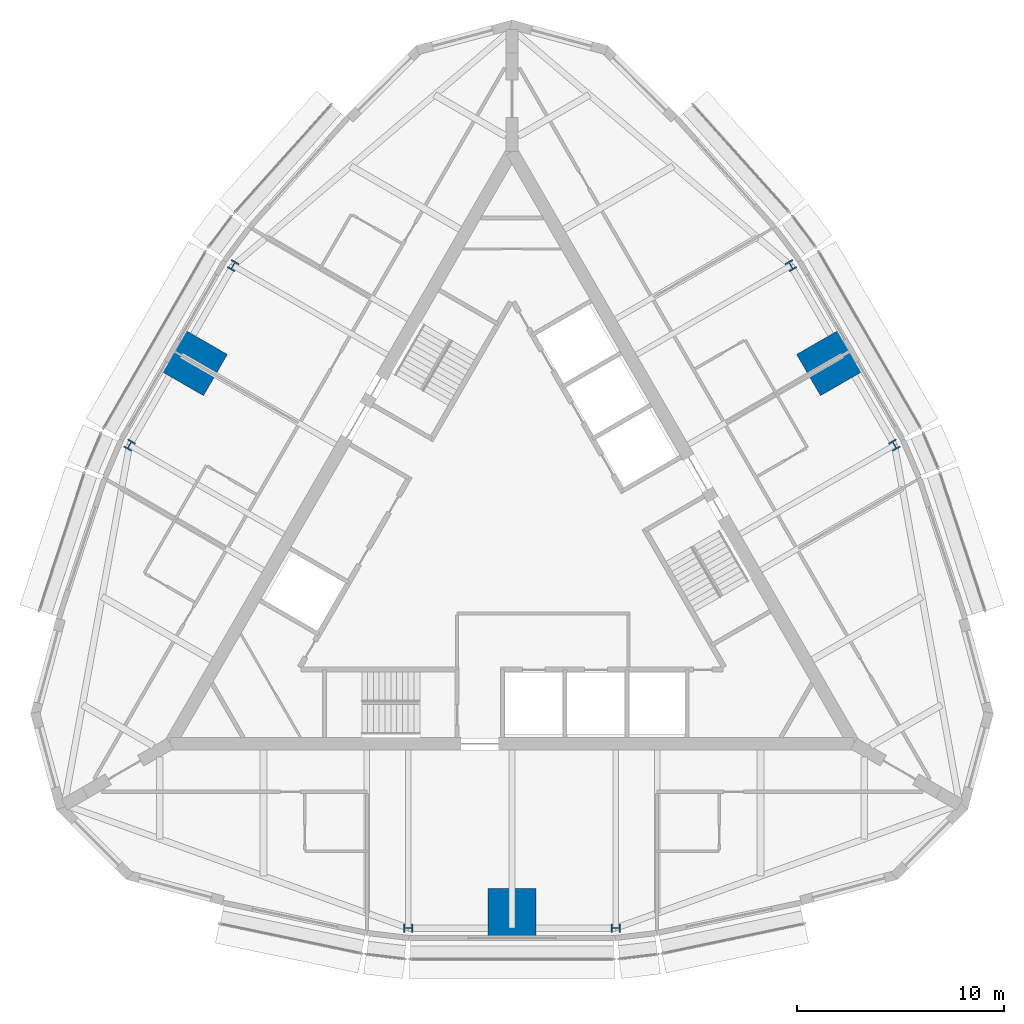
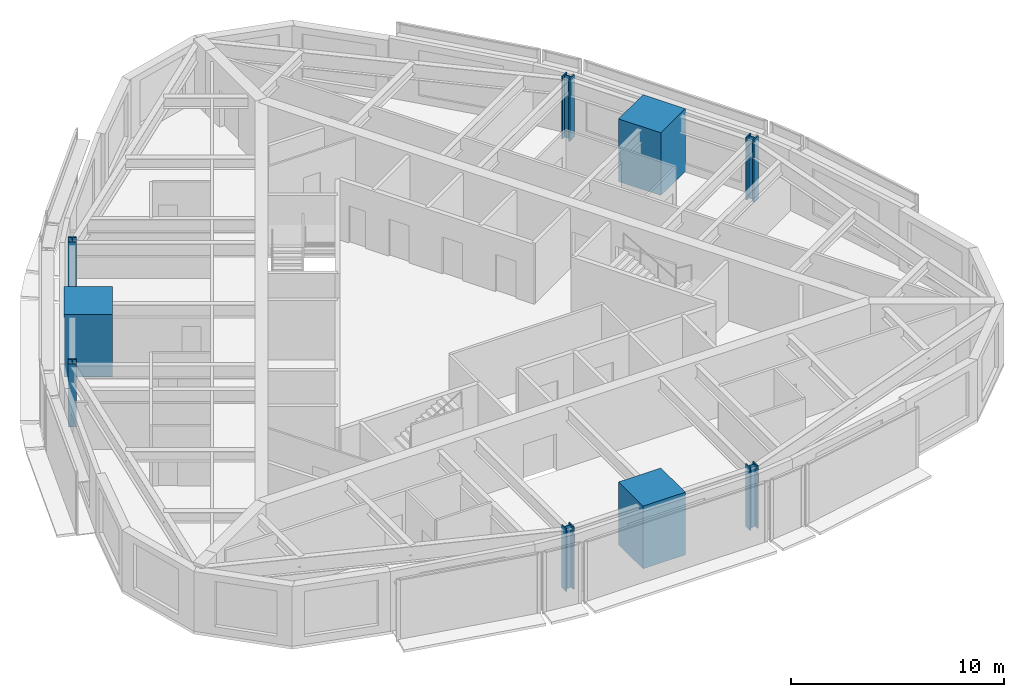
# One storey, part 1 of 12: 9 columns.
"""IFC4 building model written with IfcOpenShell, lengths in metres."""

import ifcopenshell
import ifcopenshell.guid

model = None  # the IFC model being written
_history = None  # IfcOwnerHistory: only IFC2X3 demands one
_inside = {}  # id of a spatial element -> (the spatial element, [elements in it])
_under = {}  # id of a project, library or spatial element -> (it, [spatial elements below it])
_declared = {}  # id of a project -> (the project, [libraries it declares])
_typed = {}  # id of a type object -> (the type object, [elements of that type])
_made_of = {}  # id of a material, layer set ... -> (it, [elements and type objects made of it])


def new_model(schema):
    """Start an empty IFC model of exactly this schema.

    Asked for "IFC4X3", IfcOpenShell would pick the latest addendum, in which some entities
    have other attributes; the version numbers below select the first issue.
    IFC2X3 requires an IfcOwnerHistory on every rooted entity: one is made here for all.
    """
    global model, _history
    if schema == "IFC4X3":
        model = ifcopenshell.file(schema_version=(4, 3, 0, 0))
    else:
        model = ifcopenshell.file(schema=schema)
    _inside.clear()
    _under.clear()
    _declared.clear()
    _typed.clear()
    _made_of.clear()
    _history = None
    if model.schema == "IFC2X3":
        org = make("IfcOrganization", Name="unknown")
        user = make(
            "IfcPersonAndOrganization",
            ThePerson=make("IfcPerson", FamilyName="unknown"),
            TheOrganization=org,
        )
        app = make(
            "IfcApplication",
            ApplicationDeveloper=org,
            Version="unknown",
            ApplicationFullName="unknown",
            ApplicationIdentifier="unknown",
        )
        _history = make(
            "IfcOwnerHistory",
            OwningUser=user,
            OwningApplication=app,
            ChangeAction="ADDED",
            CreationDate=0,
        )
    return model


def make(cls, **values):
    """One entity of the class cls with the attributes given. An attribute that is None is left unset."""
    return model.create_entity(
        cls, **{name: value for name, value in values.items() if value is not None}
    )


def rooted(cls, **values):
    """An entity with a GlobalId (a new one), such as an element, a storey or a relation."""
    return make(cls, GlobalId=ifcopenshell.guid.new(), OwnerHistory=_history, **values)


def si_unit(unit_type, name, prefix=None):
    """IfcSIUnit, for example si_unit("LENGTHUNIT", "METRE", prefix="MILLI")."""
    return make("IfcSIUnit", UnitType=unit_type, Prefix=prefix, Name=name)


def assignment(units):
    """IfcUnitAssignment: the units of a project."""
    return None if units is None else make("IfcUnitAssignment", Units=units)


def point(xyz):
    """IfcCartesianPoint."""
    return None if xyz is None else make("IfcCartesianPoint", Coordinates=xyz)


def direction(xyz):
    """IfcDirection."""
    return None if xyz is None else make("IfcDirection", DirectionRatios=xyz)


def frame(location, z_axis=None, x_axis=None):
    """IfcAxis2Placement3D, a coordinate frame: its origin and axes. An axis left out is left unset."""
    return make(
        "IfcAxis2Placement3D",
        Location=point(location),
        Axis=direction(z_axis),
        RefDirection=direction(x_axis),
    )


def frame_2d(location, x_axis=None):
    """IfcAxis2Placement2D, a coordinate frame in the plane: its origin and x axis."""
    return make(
        "IfcAxis2Placement2D", Location=point(location), RefDirection=direction(x_axis)
    )


def origin():
    """The frame at (0, 0, 0) with its axes left unset."""
    return frame((0.0, 0.0, 0.0))


def origin_2d():
    """The frame at (0, 0) in the plane with its x axis left unset."""
    return frame_2d((0.0, 0.0))


def place(relative_to, where):
    """IfcLocalPlacement: puts the frame where relative to a parent placement (None: the world)."""
    return make(
        "IfcLocalPlacement", PlacementRelTo=relative_to, RelativePlacement=where
    )


def context(
    kind, dimensions, precision=None, world=None, true_north=None, identifier=None
):
    """IfcGeometricRepresentationContext, for example the 3D "Model" context."""
    return make(
        "IfcGeometricRepresentationContext",
        ContextIdentifier=identifier,
        ContextType=kind,
        CoordinateSpaceDimension=dimensions,
        Precision=precision,
        WorldCoordinateSystem=world,
        TrueNorth=true_north,
    )


def subcontext(parent, identifier, kind, view, scale=None):
    """IfcGeometricRepresentationSubContext, for example "Body" below "Model"."""
    return make(
        "IfcGeometricRepresentationSubContext",
        ContextIdentifier=identifier,
        ContextType=kind,
        ParentContext=parent,
        TargetScale=scale,
        TargetView=view,
    )


def project(units=None, contexts=None):
    """IfcProject with its units and contexts."""
    return rooted(
        "IfcProject",
        Name="project",
        RepresentationContexts=contexts,
        UnitsInContext=assignment(units),
    )


def spatial(cls, under=None, at=None, **own):
    """A site, building, storey or space (cls), placed at a placement, below another one or the project."""
    s = rooted(cls, ObjectPlacement=at, **own)
    if under is not None:
        _under.setdefault(under.id(), (under, []))[1].append(s)
    return s


def profile(cls, at=None, kind="AREA", **sizes):
    """A parametric profile (cls). Its sizes go by their IFC names, for example OverallWidth=200.0."""
    return make(cls, ProfileType=kind, Position=at, **sizes)


def rectangle(**sizes):
    """IfcRectangleProfileDef."""
    return profile("IfcRectangleProfileDef", **sizes)


def i_section(**sizes):
    """IfcIShapeProfileDef."""
    return profile("IfcIShapeProfileDef", **sizes)


def extrude(swept, where, along, depth):
    """IfcExtrudedAreaSolid: the profile swept, set in the frame where, extruded along a direction by depth."""
    return make(
        "IfcExtrudedAreaSolid",
        SweptArea=swept,
        Position=where,
        ExtrudedDirection=direction(along),
        Depth=depth,
    )


def shape(context_of_items, identifier, shape_type, items):
    """IfcShapeRepresentation: the items that make up one representation, for example the "Body"."""
    return make(
        "IfcShapeRepresentation",
        ContextOfItems=context_of_items,
        RepresentationIdentifier=identifier,
        RepresentationType=shape_type,
        Items=items,
    )


def material(Name=None, Category=None):
    """IfcMaterial."""
    return make("IfcMaterial", Name=Name, Category=Category)


def material_profile(
    of_material, cross_section, Name=None, Category=None, Priority=None
):
    """IfcMaterialProfile: a cross section and its material."""
    return make(
        "IfcMaterialProfile",
        Name=Name,
        Material=of_material,
        Profile=cross_section,
        Priority=Priority,
        Category=Category,
    )


def profile_set(profiles, Name=None, composite=None):
    """IfcMaterialProfileSet."""
    return make(
        "IfcMaterialProfileSet",
        Name=Name,
        MaterialProfiles=profiles,
        CompositeProfile=composite,
    )


def made_of(thing, what):
    """Note that an element or type object is made of a material, layer set ...; save() writes the relation."""
    if what is not None:
        _made_of.setdefault(what.id(), (what, []))[1].append(thing)
    return thing


def type_object(cls, material=None, **own):
    """A type object (cls), such as IfcWallType, which elements share."""
    return made_of(rooted(cls, **own), material)


def element(
    cls,
    number,
    at=None,
    inside=None,
    cuts=None,
    type_object=None,
    material=None,
    context=None,
    identifier="Body",
    shape_type=None,
    held_by="IfcProductDefinitionShape",
    body=None,
    shapes=None,
    **own,
):
    """One element of the class cls, such as IfcWall. Its Tag is "e" and its number.

    at: its placement. inside: the storey or other place that contains it. cuts: it is an
    opening in that element (IfcRelVoidsElement). A single representation is given by context,
    identifier, shape_type and body (its items); several are given by shapes. held_by: the class
    of the entity that holds the representations. save() writes the other relations.
    """
    e = rooted(cls, Tag="e%d" % number, ObjectPlacement=at, **own)
    if body is not None:
        shapes = [shape(context, identifier, shape_type, body)]
    if shapes is not None:
        e.Representation = make(held_by, Representations=shapes)
    if inside is not None:
        _inside.setdefault(inside.id(), (inside, []))[1].append(e)
    if cuts is not None:
        rooted(
            "IfcRelVoidsElement", RelatingBuildingElement=cuts, RelatedOpeningElement=e
        )
    if type_object is not None:
        _typed.setdefault(type_object.id(), (type_object, []))[1].append(e)
    return made_of(e, material)


def aggregate(whole, parts):
    """IfcRelAggregates: a whole, such as a stair, and the parts it consists of."""
    return rooted("IfcRelAggregates", RelatingObject=whole, RelatedObjects=parts)


def save(model, path):
    """Write the relations noted so far, then the file.

    IfcRelAggregates (storeys below a building ...), IfcRelContainedInSpatialStructure (elements
    in a storey), IfcRelDefinesByType, IfcRelAssociatesMaterial and IfcRelDeclares: one each for
    every whole, place, type object, material and project.
    """
    for whole, parts in _under.values():
        aggregate(whole, parts)
    for where, things in _inside.values():
        rooted(
            "IfcRelContainedInSpatialStructure",
            RelatedElements=things,
            RelatingStructure=where,
        )
    for kind, things in _typed.values():
        rooted("IfcRelDefinesByType", RelatedObjects=things, RelatingType=kind)
    for what, things in _made_of.values():
        rooted("IfcRelAssociatesMaterial", RelatedObjects=things, RelatingMaterial=what)
    for by, libraries in _declared.values():
        rooted("IfcRelDeclares", RelatingContext=by, RelatedDefinitions=libraries)
    model.write(path)


model = new_model("IFC4")

# Units and contexts
model_context = context("Model", 3, precision=1e-05, world=origin(), true_north=direction((0.0, 1.0)))
body_context = subcontext(model_context, "Body", "Model", "MODEL_VIEW")
ifc_project = project(units=[si_unit("LENGTHUNIT", "METRE"), si_unit("AREAUNIT", "SQUARE_METRE"), si_unit("VOLUMEUNIT", "CUBIC_METRE"), si_unit("PLANEANGLEUNIT", "RADIAN"), si_unit("MASSUNIT", "GRAM", prefix="KILO")], contexts=[model_context])

# Site, building, storey
site_placement = place(None, origin())
site = spatial("IfcSite", under=ifc_project, at=site_placement, CompositionType="ELEMENT")
building_placement = place(site_placement, origin())
building = spatial("IfcBuilding", under=site, at=building_placement, Name="Trikona Tower", CompositionType="ELEMENT")
storey_placement = place(building_placement, frame((0.0, 0.0, 250.10009765625)))
storey = spatial("IfcBuildingStorey", under=building, at=storey_placement, Name="L66", CompositionType="ELEMENT", Elevation=250.10009765625)

# Columns
ifc_material_1 = material(Name="Concrete f'c 10000 psi with encased steel section", Category="concrete")
ifc_material_profile_1 = material_profile(ifc_material_1, rectangle(XDim=2.300048828125, YDim=2.300048828125, at=origin_2d()), Name="MC2300")
ifc_profile_set_1 = profile_set([ifc_material_profile_1], Name="Concrete f'c 10000 psi with encased steel section")
column_type_1 = type_object("IfcColumnType", Name="Composite mega column 2300x2300", PredefinedType="COLUMN", material=ifc_profile_set_1)
for number, where, z_axis, x_axis, name in (
    (1, (0.0, -17.680419921875, 0.0), (0.0, 0.0, 1.0), (0.0, -1.0, 0.0), "Mega column MC1"),
    (2, (15.311767578125, 8.84033203125, 0.0), (0.0, 0.0, 1.0), (0.866025403784, 0.5, 0.0), "Mega column MC2"),
    (3, (-15.311767578125, 8.84033203125, 0.0), (0.0, 0.0, 1.0), (-0.866025403784, 0.5, 0.0), "Mega column MC3"),
):
    element("IfcColumn", number, at=place(storey_placement, frame(where, z_axis=z_axis, x_axis=x_axis)), inside=storey, type_object=column_type_1, Name=name, PredefinedType="COLUMN", context=body_context, shape_type="SweptSolid", body=[
        extrude(rectangle(XDim=2.300048828125, YDim=2.300048828125, at=origin_2d()), origin(), (0.0, 0.0, 1.0), 3.599853515625),
    ])
ifc_material_2 = material(Name="Steel ASTM A992 Grade 50", Category="steel")
ifc_material_profile_2 = material_profile(ifc_material_2, i_section(OverallWidth=0.419189453125, OverallDepth=0.45458984375, WebThickness=0.042236328125, FlangeThickness=0.067626953125, at=origin_2d()), Name="W14X370")
ifc_profile_set_2 = profile_set([ifc_material_profile_2], Name="Steel ASTM A992 Grade 50")
column_type_2 = type_object("IfcColumnType", Name="Steel column W14x370", PredefinedType="COLUMN", material=ifc_profile_set_2)
for number, where, z_axis, x_axis, name in (
    (4, (-5.0, -18.430419921875, 0.0), (0.0, 0.0, 1.0), (0.0, -1.0, 0.0), "Column F0m5"),
    (5, (5.0, -18.430419921875, 0.0), (0.0, 0.0, 1.0), (0.0, -1.0, 0.0), "Column F0p5"),
    (6, (18.461181640625, 4.885009765625, 0.0), (0.0, 0.0, 1.0), (0.866025403784, 0.5, 0.0), "Column F1m5"),
    (7, (13.461181640625, 13.54541015625, 0.0), (0.0, 0.0, 1.0), (0.866025403784, 0.5, 0.0), "Column F1p5"),
    (8, (-13.461181640625, 13.54541015625, 0.0), (0.0, 0.0, 1.0), (-0.866025403784, 0.5, 0.0), "Column F2m5"),
    (9, (-18.461181640625, 4.885009765625, 0.0), (0.0, 0.0, 1.0), (-0.866025403784, 0.5, 0.0), "Column F2p5"),
):
    element("IfcColumn", number, at=place(storey_placement, frame(where, z_axis=z_axis, x_axis=x_axis)), inside=storey, type_object=column_type_2, Name=name, PredefinedType="COLUMN", context=body_context, shape_type="SweptSolid", body=[
        extrude(i_section(OverallWidth=0.419189453125, OverallDepth=0.45458984375, WebThickness=0.042236328125, FlangeThickness=0.067626953125, at=origin_2d()), origin(), (0.0, 0.0, 1.0), 3.599853515625),
    ])

save(model, "model.ifc")
